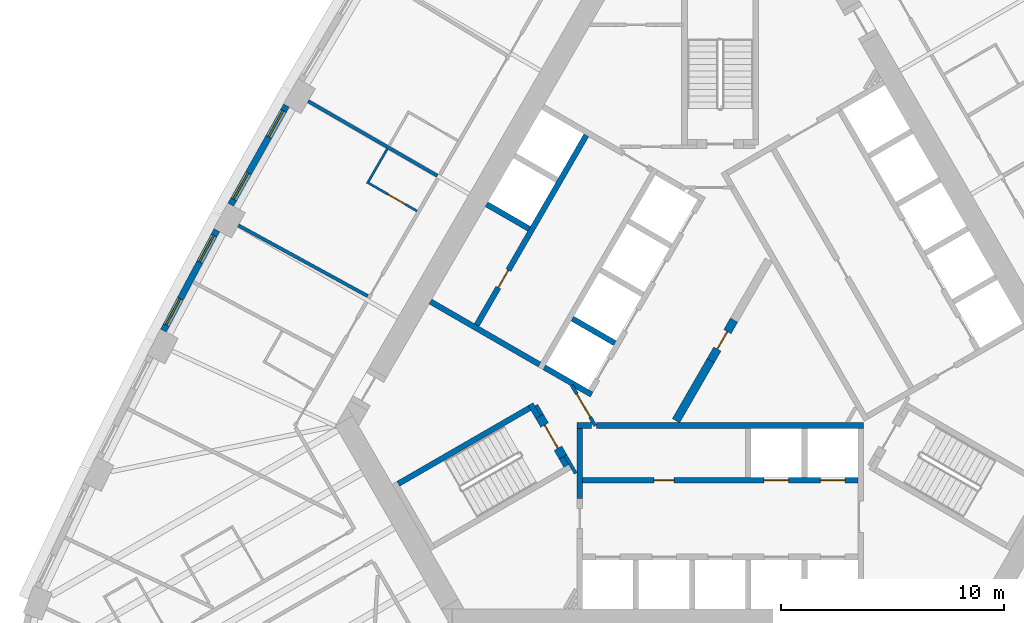
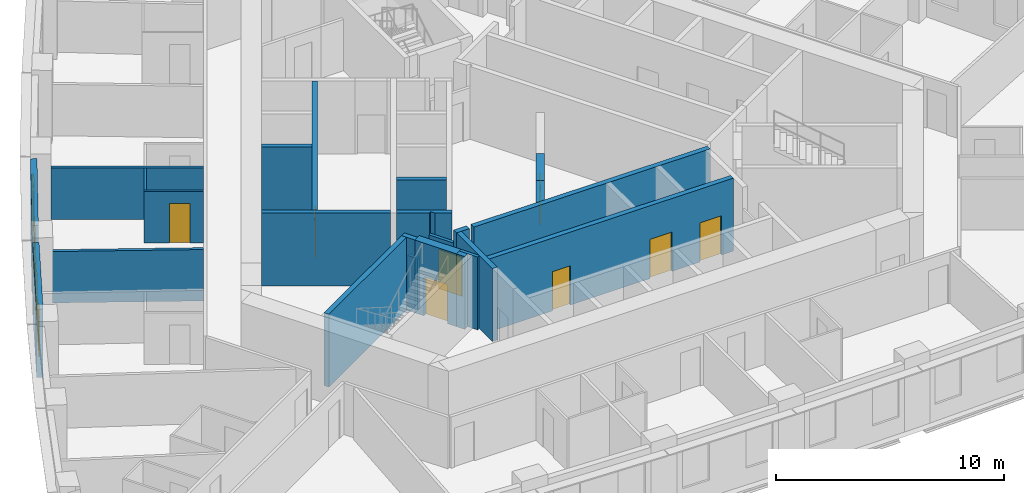
# One storey, part 5 of 12: 24 walls, 8 doors, 4 windows, 12 openings.
"""IFC4 building model written with IfcOpenShell, lengths in metres."""

from ifc_helpers import new_model, si_unit, direction, frame, frame_2d, origin, place, context, subcontext, project, spatial, polyline, rectangle, outline, extrude, material, layer, layer_set, type_object, element, fill, save


model = new_model("IFC4")

# Units and contexts
model_context = context("Model", 3, precision=1e-05, world=origin(), true_north=direction((0.0, 1.0)))
body_context = subcontext(model_context, "Body", "Model", "MODEL_VIEW")
ifc_project = project(units=[si_unit("LENGTHUNIT", "METRE"), si_unit("AREAUNIT", "SQUARE_METRE"), si_unit("VOLUMEUNIT", "CUBIC_METRE"), si_unit("PLANEANGLEUNIT", "RADIAN"), si_unit("MASSUNIT", "GRAM", prefix="KILO")], contexts=[model_context])

# Site, building, storey
site_placement = place(None, origin())
site = spatial("IfcSite", under=ifc_project, at=site_placement, CompositionType="ELEMENT")
building_placement = place(site_placement, origin())
building = spatial("IfcBuilding", under=site, at=building_placement, Name="Mestral Congress Tower", CompositionType="ELEMENT")
storey_placement = place(building_placement, frame((0.0, 0.0, 111.0)))
storey = spatial("IfcBuildingStorey", under=building, at=storey_placement, Name="L26", CompositionType="ELEMENT", Elevation=111.0)

# Walls
ifc_material_1 = material(Name="Fire-rated board partition")
ifc_layer_1 = layer(ifc_material_1, 0.14990234375)
ifc_layer_set_1 = layer_set([ifc_layer_1], Name="Fire-rated board partition")
wall_type_1 = type_object("IfcWallType", Name="Core partition 150", PredefinedType="PARTITIONING", material=ifc_layer_set_1)
wall_1_placement = place(storey_placement, frame((-8.251953125, -2.958251953125, 0.0), z_axis=(0.0, 0.0, 1.0), x_axis=(0.500174715838, -0.865924508047, 0.0)))
element("IfcWall", 1, at=wall_1_placement, inside=storey, type_object=wall_type_1, Name="L26 core wall", PredefinedType="PARTITIONING", context=body_context, shape_type="SweptSolid", body=[
    extrude(rectangle(XDim=0.513916015625, YDim=0.14990234375, at=frame_2d((0.2568359375, 0.0))), origin(), (0.0, 0.0, 1.0), 2.75),
])
placement = place(storey_placement, origin())
element("IfcWall", 2, at=placement, inside=storey, type_object=wall_type_1, Name="L26 core wall", PredefinedType="PARTITIONING", context=body_context, shape_type="SweptSolid", body=[
    extrude(outline(polyline([(-0.590087890625, -0.871826171875), (-0.26513671875, -1.059326171875), (-1.822021484375, -3.755615234375), (-2.146728515625, -3.568115234375), (-0.590087890625, -0.871826171875)])), origin(), (0.0, 0.0, 1.0), 2.75),
])

# Wall, opening, door
wall_3_placement = place(storey_placement, frame((-5.606201171875, -3.8896484375, 0.0), z_axis=(0.0, 0.0, 1.0), x_axis=(-0.500027713859, 0.866009402589, 0.0)))
wall_3 = element("IfcWall", 3, at=wall_3_placement, inside=storey, type_object=wall_type_1, Name="L26 door wall", PredefinedType="PARTITIONING", context=body_context, shape_type="SweptSolid", body=[
    extrude(rectangle(XDim=2.10009765625, YDim=0.14990234375, at=frame_2d((1.050048828125, 0.0))), origin(), (0.0, 0.0, 1.0), 2.75),
])
opening_1_placement = place(wall_3_placement, frame((0.449951171875, 0.0, 0.0)))
opening_1 = element("IfcOpeningElement", 4, at=opening_1_placement, cuts=wall_3, Name="Opening CD3-FF", PredefinedType="OPENING", context=body_context, shape_type="SweptSolid", body=[
    extrude(rectangle(XDim=1.199951171875, YDim=2.10009765625, at=frame_2d((0.60009765625, 1.050048828125))), frame((0.0, 0.0849609375, 0.0), z_axis=(0.0, -1.0, 0.0), x_axis=(1.0, 0.0, 0.0)), (0.0, 0.0, 1.0), 0.169921875),
])
ifc_material_2 = material(Name="Fire-rated steel door set", Category="steel")
door_type_1 = type_object("IfcDoorType", Name="Core door CD 1200x2100", OperationType="SINGLE_SWING_LEFT", PredefinedType="DOOR", material=ifc_material_2)
door_1_placement = place(opening_1_placement, origin())
door_1 = element("IfcDoor", 5, at=door_1_placement, inside=storey, type_object=door_type_1, Name="Door CD3-FF", OperationType="SINGLE_SWING_LEFT", OverallHeight=2.10009765625, OverallWidth=1.199951171875, PredefinedType="DOOR", context=body_context, shape_type="SweptSolid", body=[
    extrude(rectangle(XDim=1.199951171875, YDim=2.10009765625, at=frame_2d((0.60009765625, 1.050048828125))), frame((0.0, 0.02490234375, 0.0), z_axis=(0.0, -1.0, 0.0), x_axis=(1.0, 0.0, 0.0)), (0.0, 0.0, 1.0), 0.050048828125),
])
fill(opening_1, door_1)

ifc_layer_2 = layer(ifc_material_1, 0.375)
ifc_layer_set_2 = layer_set([ifc_layer_2], Name="Fire-rated board partition")
wall_type_2 = type_object("IfcWallType", Name="Core partition 150 door-wall 375", PredefinedType="PARTITIONING", material=ifc_layer_set_2)
wall_4_placement = place(storey_placement, frame((-0.427490234375, -0.965576171875, 0.0), z_axis=(0.0, 0.0, 1.0), x_axis=(0.49994051562, 0.866059744384, 0.0)))
wall_4 = element("IfcWall", 6, at=wall_4_placement, inside=storey, type_object=wall_type_2, Name="L26 door wall", PredefinedType="PARTITIONING", context=body_context, shape_type="SweptSolid", body=[
    extrude(rectangle(XDim=2.099853515625, YDim=0.375, at=frame_2d((1.0498046875, 0.0))), origin(), (0.0, 0.0, 1.0), 2.75),
])
opening_2_placement = place(wall_4_placement, frame((0.60009765625, 0.0, 0.0)))
opening_2 = element("IfcOpeningElement", 7, at=opening_2_placement, cuts=wall_4, Name="Opening CD1-HUB0", PredefinedType="OPENING", context=body_context, shape_type="SweptSolid", body=[
    extrude(rectangle(XDim=0.89990234375, YDim=2.10009765625, at=frame_2d((0.449951171875, 1.050048828125))), frame((0.0, 0.197509765625, 0.0), z_axis=(0.0, -1.0, 0.0), x_axis=(1.0, 0.0, 0.0)), (0.0, 0.0, 1.0), 0.39501953125),
])
door_type_2 = type_object("IfcDoorType", Name="Core door CD 900x2100", OperationType="SINGLE_SWING_LEFT", PredefinedType="DOOR", material=ifc_material_2)
door_2_placement = place(opening_2_placement, origin())
door_2 = element("IfcDoor", 8, at=door_2_placement, inside=storey, type_object=door_type_2, Name="Door CD1-HUB0", OperationType="SINGLE_SWING_LEFT", OverallHeight=2.10009765625, OverallWidth=0.89990234375, PredefinedType="DOOR", context=body_context, shape_type="SweptSolid", body=[
    extrude(rectangle(XDim=0.89990234375, YDim=2.10009765625, at=frame_2d((0.449951171875, 1.050048828125))), frame((0.0, 0.02490234375, 0.0), z_axis=(0.0, -1.0, 0.0), x_axis=(1.0, 0.0, 0.0)), (0.0, 0.0, 1.0), 0.050048828125),
])
fill(opening_2, door_2)

# Wall, openings, windows
ifc_material_3 = material(Name="Precast concrete C40/50 with limestone facing", Category="masonry")
ifc_layer_3 = layer(ifc_material_3, 0.2900390625)
ifc_layer_set_3 = layer_set([ifc_layer_3], Name="Precast concrete C40/50 with limestone facing")
wall_type_3 = type_object("IfcWallType", Name="Facade stone wall 290", PredefinedType="SOLIDWALL", material=ifc_layer_set_3)
wall_5_placement = place(storey_placement, frame((-19.4580078125, 10.479736328125, 0.0), z_axis=(0.0, 0.0, 1.0), x_axis=(-0.48983164787, -0.87181704316, 0.0)))
wall_5 = element("IfcWall", 9, at=wall_5_placement, inside=storey, type_object=wall_type_3, Name="Facade wall F2-04", PredefinedType="SOLIDWALL", context=body_context, shape_type="SweptSolid", body=[
    extrude(rectangle(XDim=5.100341796875, YDim=0.2900390625, at=frame_2d((2.55029296875, 0.0))), origin(), (0.0, 0.0, 1.0), 3.64990234375),
])
opening_3_placement = place(wall_5_placement, frame((0.2724609375, 0.0, 0.89990234375)))
opening_3 = element("IfcOpeningElement", 10, at=opening_3_placement, cuts=wall_5, Name="Opening W2", PredefinedType="OPENING", context=body_context, shape_type="SweptSolid", body=[
    extrude(rectangle(XDim=1.35009765625, YDim=2.14990234375, at=frame_2d((0.675048828125, 1.074951171875))), frame((0.0, 0.155029296875, 0.0), z_axis=(0.0, -1.0, 0.0), x_axis=(1.0, 0.0, 0.0)), (0.0, 0.0, 1.0), 0.31005859375),
])
opening_4_placement = place(wall_5_placement, frame((3.477783203125, 0.0, 0.89990234375)))
opening_4 = element("IfcOpeningElement", 11, at=opening_4_placement, cuts=wall_5, Name="Opening W2", PredefinedType="OPENING", context=body_context, shape_type="SweptSolid", body=[
    extrude(rectangle(XDim=1.35009765625, YDim=2.14990234375, at=frame_2d((0.675048828125, 1.074951171875))), frame((0.0, 0.155029296875, 0.0), z_axis=(0.0, -1.0, 0.0), x_axis=(1.0, 0.0, 0.0)), (0.0, 0.0, 1.0), 0.31005859375),
])
ifc_material_4 = material(Name="Clear low-emissivity double glazing", Category="glass")
window_type = type_object("IfcWindowType", Name="Facade punched window 1350 x 2150 sill 900", PartitioningType="DOUBLE_PANEL_VERTICAL", PredefinedType="WINDOW", material=ifc_material_4)
window_1_placement = place(opening_3_placement, origin())
window_1 = element("IfcWindow", 12, at=window_1_placement, inside=storey, type_object=window_type, Name="Window F2-04a", OverallHeight=2.14990234375, OverallWidth=1.35009765625, PartitioningType="DOUBLE_PANEL_VERTICAL", PredefinedType="WINDOW", context=body_context, shape_type="SweptSolid", body=[
    extrude(rectangle(XDim=1.35009765625, YDim=2.14990234375, at=frame_2d((0.675048828125, 1.074951171875))), frame((0.0, 0.01513671875, 0.0), z_axis=(0.0, -1.0, 0.0), x_axis=(1.0, 0.0, 0.0)), (0.0, 0.0, 1.0), 0.06005859375),
])
fill(opening_3, window_1)
window_2_placement = place(opening_4_placement, origin())
window_2 = element("IfcWindow", 13, at=window_2_placement, inside=storey, type_object=window_type, Name="Window F2-04b", OverallHeight=2.14990234375, OverallWidth=1.35009765625, PartitioningType="DOUBLE_PANEL_VERTICAL", PredefinedType="WINDOW", context=body_context, shape_type="SweptSolid", body=[
    extrude(rectangle(XDim=1.35009765625, YDim=2.14990234375, at=frame_2d((0.675048828125, 1.074951171875))), frame((0.0, 0.01513671875, 0.0), z_axis=(0.0, -1.0, 0.0), x_axis=(1.0, 0.0, 0.0)), (0.0, 0.0, 1.0), 0.06005859375),
])
fill(opening_4, window_2)

wall_6_placement = place(storey_placement, frame((-22.5830078125, 4.88671875, 0.0), z_axis=(0.0, 0.0, 1.0), x_axis=(-0.469323203119, -0.883026461106, 0.0)))
wall_6 = element("IfcWall", 14, at=wall_6_placement, inside=storey, type_object=wall_type_3, Name="Facade wall F2-05", PredefinedType="SOLIDWALL", context=body_context, shape_type="SweptSolid", body=[
    extrude(rectangle(XDim=5.1005859375, YDim=0.2900390625, at=frame_2d((2.55029296875, 0.0))), origin(), (0.0, 0.0, 1.0), 3.64990234375),
])
opening_5_placement = place(wall_6_placement, frame((0.272705078125, 0.0, 0.89990234375)))
opening_5 = element("IfcOpeningElement", 15, at=opening_5_placement, cuts=wall_6, Name="Opening W2", PredefinedType="OPENING", context=body_context, shape_type="SweptSolid", body=[
    extrude(rectangle(XDim=1.35009765625, YDim=2.14990234375, at=frame_2d((0.675048828125, 1.074951171875))), frame((0.0, 0.155029296875, 0.0), z_axis=(0.0, -1.0, 0.0), x_axis=(1.0, 0.0, 0.0)), (0.0, 0.0, 1.0), 0.31005859375),
])
opening_6_placement = place(wall_6_placement, frame((3.477783203125, 0.0, 0.89990234375)))
opening_6 = element("IfcOpeningElement", 16, at=opening_6_placement, cuts=wall_6, Name="Opening W2", PredefinedType="OPENING", context=body_context, shape_type="SweptSolid", body=[
    extrude(rectangle(XDim=1.35009765625, YDim=2.14990234375, at=frame_2d((0.675048828125, 1.074951171875))), frame((0.0, 0.155029296875, 0.0), z_axis=(0.0, -1.0, 0.0), x_axis=(1.0, 0.0, 0.0)), (0.0, 0.0, 1.0), 0.31005859375),
])
window_3_placement = place(opening_5_placement, origin())
window_3 = element("IfcWindow", 17, at=window_3_placement, inside=storey, type_object=window_type, Name="Window F2-05a", OverallHeight=2.14990234375, OverallWidth=1.35009765625, PartitioningType="DOUBLE_PANEL_VERTICAL", PredefinedType="WINDOW", context=body_context, shape_type="SweptSolid", body=[
    extrude(rectangle(XDim=1.35009765625, YDim=2.14990234375, at=frame_2d((0.675048828125, 1.074951171875))), frame((0.0, 0.01513671875, 0.0), z_axis=(0.0, -1.0, 0.0), x_axis=(1.0, 0.0, 0.0)), (0.0, 0.0, 1.0), 0.06005859375),
])
fill(opening_5, window_3)
window_4_placement = place(opening_6_placement, origin())
window_4 = element("IfcWindow", 18, at=window_4_placement, inside=storey, type_object=window_type, Name="Window F2-05b", OverallHeight=2.14990234375, OverallWidth=1.35009765625, PartitioningType="DOUBLE_PANEL_VERTICAL", PredefinedType="WINDOW", context=body_context, shape_type="SweptSolid", body=[
    extrude(rectangle(XDim=1.35009765625, YDim=2.14990234375, at=frame_2d((0.675048828125, 1.074951171875))), frame((0.0, 0.01513671875, 0.0), z_axis=(0.0, -1.0, 0.0), x_axis=(1.0, 0.0, 0.0)), (0.0, 0.0, 1.0), 0.06005859375),
])
fill(opening_6, window_4)

# Wall, opening, door
ifc_material_5 = material(Name="Gypsum board partition on metal studs with mineral wool", Category="composite")
ifc_layer_4 = layer(ifc_material_5, 0.10009765625)
ifc_layer_set_4 = layer_set([ifc_layer_4], Name="Gypsum board partition on metal studs with mineral wool")
wall_type_4 = type_object("IfcWallType", Name="Hotel partition wall 100", PredefinedType="PARTITIONING", material=ifc_layer_set_4)
wall_7_placement = place(storey_placement, frame((-15.851806640625, 7.0439453125, 0.0), z_axis=(0.0, 0.0, 1.0), x_axis=(0.866021400173, -0.500006934395, 0.0)))
wall_7 = element("IfcWall", 19, at=wall_7_placement, inside=storey, type_object=wall_type_4, Name="L26-h-pod21a", PredefinedType="PARTITIONING", context=body_context, shape_type="SweptSolid", body=[
    extrude(rectangle(XDim=2.60009765625, YDim=0.10009765625, at=frame_2d((1.300048828125, 0.0))), origin(), (0.0, 0.0, 1.0), 2.75),
])
opening_7_placement = place(wall_7_placement, frame((1.10009765625, 0.0, 0.0)))
opening_7 = element("IfcOpeningElement", 20, at=opening_7_placement, cuts=wall_7, Name="Opening H08-038", PredefinedType="OPENING", context=body_context, shape_type="SweptSolid", body=[
    extrude(rectangle(XDim=0.89990234375, YDim=2.10009765625, at=frame_2d((0.449951171875, 1.050048828125))), frame((0.0, 0.06005859375, 0.0), z_axis=(0.0, -1.0, 0.0), x_axis=(1.0, 0.0, 0.0)), (0.0, 0.0, 1.0), 0.1201171875),
])
ifc_material_6 = material(Name="Timber veneer door leaf in timber frame", Category="wood")
door_type_3 = type_object("IfcDoorType", Name="Bathroom door 900", OperationType="SINGLE_SWING_LEFT", PredefinedType="DOOR", material=ifc_material_6)
door_3_placement = place(opening_7_placement, origin())
door_3 = element("IfcDoor", 21, at=door_3_placement, inside=storey, type_object=door_type_3, Name="L26-h-d038", OperationType="SINGLE_SWING_RIGHT", OverallHeight=2.10009765625, OverallWidth=0.89990234375, PredefinedType="DOOR", context=body_context, shape_type="SweptSolid", body=[
    extrude(rectangle(XDim=0.89990234375, YDim=2.10009765625, at=frame_2d((0.449951171875, 1.050048828125))), frame((0.0, 0.02490234375, 0.0), z_axis=(0.0, -1.0, 0.0), x_axis=(1.0, 0.0, 0.0)), (0.0, 0.0, 1.0), 0.050048828125),
])
fill(opening_7, door_3)

# Walls
wall_8_placement = place(storey_placement, frame((-15.783447265625, 7.062255859375, 0.0), z_axis=(0.0, 0.0, 1.0), x_axis=(0.499954529098, 0.86605165483, 0.0)))
element("IfcWall", 22, at=wall_8_placement, inside=storey, type_object=wall_type_4, Name="L26-h-pod21b", PredefinedType="PARTITIONING", context=body_context, shape_type="SweptSolid", body=[
    extrude(rectangle(XDim=1.699951171875, YDim=0.10009765625, at=frame_2d((0.85009765625, 0.0))), origin(), (0.0, 0.0, 1.0), 2.75),
])
ifc_layer_5 = layer(ifc_material_5, 0.14990234375)
ifc_layer_set_5 = layer_set([ifc_layer_5], Name="Gypsum board partition on metal studs with mineral wool")
wall_type_5 = type_object("IfcWallType", Name="Hotel partition wall 150", PredefinedType="PARTITIONING", material=ifc_layer_set_5)
wall_9_placement = place(storey_placement, frame((-21.614013671875, 5.1015625, 0.0), z_axis=(0.0, 0.0, 1.0), x_axis=(0.877484555087, -0.479604895287, 0.0)))
element("IfcWall", 23, at=wall_9_placement, inside=storey, type_object=wall_type_5, Name="L26-h-pw05", PredefinedType="PARTITIONING", context=body_context, shape_type="SweptSolid", body=[
    extrude(rectangle(XDim=6.611083984375, YDim=0.14990234375, at=frame_2d((3.3056640625, 0.0))), origin(), (0.0, 0.0, 1.0), 2.75),
])
wall_10_placement = place(storey_placement, frame((-18.484130859375, 10.671875, 0.0), z_axis=(0.0, 0.0, 1.0), x_axis=(0.866019162053, -0.50001081084, 0.0)))
element("IfcWall", 24, at=wall_10_placement, inside=storey, type_object=wall_type_5, Name="L26-h-pw07", PredefinedType="PARTITIONING", context=body_context, shape_type="SweptSolid", body=[
    extrude(rectangle(XDim=6.693603515625, YDim=0.14990234375, at=frame_2d((3.3466796875, 0.0))), origin(), (0.0, 0.0, 1.0), 2.75),
])
ifc_material_7 = material(Name="Concrete C60/75", Category="concrete")
ifc_layer_6 = layer(ifc_material_7, 0.25)
ifc_layer_set_6 = layer_set([ifc_layer_6], Name="Concrete C60/75")
wall_type_6 = type_object("IfcWallType", Name="Shaft wall RC 250", PredefinedType="SOLIDWALL", material=ifc_layer_set_6)
wall_11_placement = place(storey_placement, frame((-5.544921875, -3.875, 0.0), z_axis=(0.0, 0.0, 1.0), x_axis=(1.0, 0.0, 0.0)))
element("IfcWall", 25, at=wall_11_placement, inside=storey, type_object=wall_type_6, Name="L26 core wall", PredefinedType="SOLIDWALL", context=body_context, shape_type="SweptSolid", body=[
    extrude(rectangle(XDim=11.969970703125, YDim=0.25, at=frame_2d((5.98486328125, 0.0))), origin(), (0.0, 0.0, 1.0), 3.89990234375),
])
wall_12_placement = place(storey_placement, frame((-6.425048828125, -3.875, 0.0), z_axis=(0.0, 0.0, 1.0), x_axis=(1.0, 0.0, 0.0)))
element("IfcWall", 26, at=wall_12_placement, inside=storey, type_object=wall_type_6, Name="L26 core wall", PredefinedType="SOLIDWALL", context=body_context, shape_type="SweptSolid", body=[
    extrude(rectangle(XDim=0.657958984375, YDim=0.25, at=frame_2d((0.3291015625, 0.0))), origin(), (0.0, 0.0, 1.0), 3.89990234375),
])
wall_13_placement = place(storey_placement, frame((-6.300048828125, -4.0, 0.0), z_axis=(0.0, 0.0, 1.0), x_axis=(0.0, -1.0, 0.0)))
element("IfcWall", 27, at=wall_13_placement, inside=storey, type_object=wall_type_6, Name="L26 core wall", PredefinedType="SOLIDWALL", context=body_context, shape_type="SweptSolid", body=[
    extrude(rectangle(XDim=3.154296875, YDim=0.25, at=frame_2d((1.5771484375, 0.0))), origin(), (0.0, 0.0, 1.0), 3.89990234375),
])
wall_14_placement = place(storey_placement, frame((-4.72412109375, -0.182373046875, 0.0), z_axis=(0.0, 0.0, 1.0), x_axis=(-0.866008176907, 0.50002983664, 0.0)))
element("IfcWall", 28, at=wall_14_placement, inside=storey, type_object=wall_type_6, Name="L26 core wall", PredefinedType="SOLIDWALL", context=body_context, shape_type="SweptSolid", body=[
    extrude(rectangle(XDim=2.199951171875, YDim=0.25, at=frame_2d((1.10009765625, 0.0))), origin(), (0.0, 0.0, 1.0), 3.89990234375),
])
element("IfcWall", 29, at=placement, inside=storey, type_object=wall_type_6, Name="L26 core wall", PredefinedType="SOLIDWALL", context=body_context, shape_type="SweptSolid", body=[
    extrude(outline(polyline([(-5.921630859375, -2.256591796875), (-5.921630859375, -2.256591796875), (-5.705078125, -2.381591796875), (-5.830078125, -2.597900390625), (-6.48291015625, -2.22119140625), (-6.59130859375, -2.033447265625), (-6.59130859375, -2.033447265625), (-6.69970703125, -2.095947265625), (-7.951904296875, -1.373046875), (-7.826904296875, -1.156494140625), (-5.921630859375, -2.256591796875)])), origin(), (0.0, 0.0, 1.0), 3.89990234375),
])
wall_16_placement = place(storey_placement, frame((-8.10595703125, -1.139892578125, 0.0), z_axis=(0.0, 0.0, 1.0), x_axis=(-0.866000643155, 0.500042884217, 0.0)))
element("IfcWall", 30, at=wall_16_placement, inside=storey, type_object=wall_type_6, Name="L26 core wall", PredefinedType="SOLIDWALL", context=body_context, shape_type="SweptSolid", body=[
    extrude(rectangle(XDim=5.64990234375, YDim=0.25, at=frame_2d((2.824951171875, 0.0))), origin(), (0.0, 0.0, 1.0), 3.89990234375),
])
wall_17_placement = place(storey_placement, frame((-8.57373046875, 4.949951171875, 0.0), z_axis=(0.0, 0.0, 1.0), x_axis=(-0.866008176907, 0.50002983664, 0.0)))
element("IfcWall", 31, at=wall_17_placement, inside=storey, type_object=wall_type_6, Name="L26 core wall", PredefinedType="SOLIDWALL", context=body_context, shape_type="SweptSolid", body=[
    extrude(rectangle(XDim=2.199951171875, YDim=0.25, at=frame_2d((1.10009765625, 0.0))), origin(), (0.0, 0.0, 1.0), 3.89990234375),
])

# Wall, openings, doors
wall_18_placement = place(storey_placement, frame((-6.175048828125, -6.324951171875, 0.0), z_axis=(0.0, 0.0, 1.0), x_axis=(1.0, 0.0, 0.0)))
wall_18 = element("IfcWall", 32, at=wall_18_placement, inside=storey, type_object=wall_type_6, Name="L26 door wall", PredefinedType="SOLIDWALL", context=body_context, shape_type="SweptSolid", body=[
    extrude(rectangle(XDim=12.35009765625, YDim=0.25, at=frame_2d((6.175048828125, 0.0))), origin(), (0.0, 0.0, 1.0), 3.89990234375),
])
opening_8_placement = place(wall_18_placement, frame((3.205078125, 0.0, 0.0)))
opening_8 = element("IfcOpeningElement", 33, at=opening_8_placement, cuts=wall_18, Name="Opening SR-SOB1", PredefinedType="OPENING", context=body_context, shape_type="SweptSolid", body=[
    extrude(rectangle(XDim=0.89990234375, YDim=2.10009765625, at=frame_2d((0.449951171875, 1.050048828125))), frame((0.0, 0.135009765625, 0.0), z_axis=(0.0, -1.0, 0.0), x_axis=(1.0, 0.0, 0.0)), (0.0, 0.0, 1.0), 0.27001953125),
])
opening_9_placement = place(wall_18_placement, frame((8.14501953125, 0.0, 0.0)))
opening_9 = element("IfcOpeningElement", 34, at=opening_9_placement, cuts=wall_18, Name="Opening LD-SOB4", PredefinedType="OPENING", context=body_context, shape_type="SweptSolid", body=[
    extrude(rectangle(XDim=1.10009765625, YDim=2.10009765625, at=frame_2d((0.550048828125, 1.050048828125))), frame((0.0, 0.135009765625, 0.0), z_axis=(0.0, -1.0, 0.0), x_axis=(1.0, 0.0, 0.0)), (0.0, 0.0, 1.0), 0.27001953125),
])
opening_10_placement = place(wall_18_placement, frame((10.6650390625, 0.0, 0.0)))
opening_10 = element("IfcOpeningElement", 35, at=opening_10_placement, cuts=wall_18, Name="Opening LD-SOB5", PredefinedType="OPENING", context=body_context, shape_type="SweptSolid", body=[
    extrude(rectangle(XDim=1.10009765625, YDim=2.10009765625, at=frame_2d((0.550048828125, 1.050048828125))), frame((0.0, 0.135009765625, 0.0), z_axis=(0.0, -1.0, 0.0), x_axis=(1.0, 0.0, 0.0)), (0.0, 0.0, 1.0), 0.27001953125),
])
door_type_4 = type_object("IfcDoorType", Name="Core door LD 1100x2100", OperationType="DOUBLE_DOOR_SLIDING", PredefinedType="DOOR", material=ifc_material_2)
door_4_placement = place(opening_9_placement, origin())
door_4 = element("IfcDoor", 36, at=door_4_placement, inside=storey, type_object=door_type_4, Name="Door LD-SOB4", OperationType="DOUBLE_DOOR_SLIDING", OverallHeight=2.10009765625, OverallWidth=1.10009765625, PredefinedType="DOOR", context=body_context, shape_type="SweptSolid", body=[
    extrude(rectangle(XDim=1.10009765625, YDim=2.10009765625, at=frame_2d((0.550048828125, 1.050048828125))), frame((0.0, 0.02490234375, 0.0), z_axis=(0.0, -1.0, 0.0), x_axis=(1.0, 0.0, 0.0)), (0.0, 0.0, 1.0), 0.050048828125),
])
fill(opening_9, door_4)
door_5_placement = place(opening_10_placement, origin())
door_5 = element("IfcDoor", 37, at=door_5_placement, inside=storey, type_object=door_type_4, Name="Door LD-SOB5", OperationType="DOUBLE_DOOR_SLIDING", OverallHeight=2.10009765625, OverallWidth=1.10009765625, PredefinedType="DOOR", context=body_context, shape_type="SweptSolid", body=[
    extrude(rectangle(XDim=1.10009765625, YDim=2.10009765625, at=frame_2d((0.550048828125, 1.050048828125))), frame((0.0, 0.02490234375, 0.0), z_axis=(0.0, -1.0, 0.0), x_axis=(1.0, 0.0, 0.0)), (0.0, 0.0, 1.0), 0.050048828125),
])
fill(opening_10, door_5)
door_type_5 = type_object("IfcDoorType", Name="Core door SR 900x2100", OperationType="SINGLE_SWING_LEFT", PredefinedType="DOOR", material=ifc_material_2)
door_6_placement = place(opening_8_placement, origin())
door_6 = element("IfcDoor", 38, at=door_6_placement, inside=storey, type_object=door_type_5, Name="Door SR-SOB1", OperationType="SINGLE_SWING_LEFT", OverallHeight=2.10009765625, OverallWidth=0.89990234375, PredefinedType="DOOR", context=body_context, shape_type="SweptSolid", body=[
    extrude(rectangle(XDim=0.89990234375, YDim=2.10009765625, at=frame_2d((0.449951171875, 1.050048828125))), frame((0.0, 0.02490234375, 0.0), z_axis=(0.0, -1.0, 0.0), x_axis=(1.0, 0.0, 0.0)), (0.0, 0.0, 1.0), 0.050048828125),
])
fill(opening_8, door_6)

# Wall, opening, door
wall_19_placement = place(storey_placement, frame((-6.0078125, 9.14404296875, 0.0), z_axis=(0.0, 0.0, 1.0), x_axis=(-0.500006956611, -0.866021387346, 0.0)))
wall_19 = element("IfcWall", 39, at=wall_19_placement, inside=storey, type_object=wall_type_6, Name="L26 door wall", PredefinedType="SOLIDWALL", context=body_context, shape_type="SweptSolid", body=[
    extrude(rectangle(XDim=9.829833984375, YDim=0.25, at=frame_2d((4.9150390625, 0.0))), origin(), (0.0, 0.0, 1.0), 3.89990234375),
])
opening_11_placement = place(wall_19_placement, frame((6.985107421875, 0.0, 0.0)))
opening_11 = element("IfcOpeningElement", 40, at=opening_11_placement, cuts=wall_19, Name="Opening SR-NWA2", PredefinedType="OPENING", context=body_context, shape_type="SweptSolid", body=[
    extrude(rectangle(XDim=0.89990234375, YDim=2.10009765625, at=frame_2d((0.449951171875, 1.050048828125))), frame((0.0, 0.135009765625, 0.0), z_axis=(0.0, -1.0, 0.0), x_axis=(1.0, 0.0, 0.0)), (0.0, 0.0, 1.0), 0.27001953125),
])
door_7_placement = place(opening_11_placement, origin())
door_7 = element("IfcDoor", 41, at=door_7_placement, inside=storey, type_object=door_type_5, Name="Door SR-NWA2", OperationType="SINGLE_SWING_LEFT", OverallHeight=2.10009765625, OverallWidth=0.89990234375, PredefinedType="DOOR", context=body_context, shape_type="SweptSolid", body=[
    extrude(rectangle(XDim=0.89990234375, YDim=2.10009765625, at=frame_2d((0.449951171875, 1.050048828125))), frame((0.0, 0.02490234375, 0.0), z_axis=(0.0, -1.0, 0.0), x_axis=(1.0, 0.0, 0.0)), (0.0, 0.0, 1.0), 0.050048828125),
])
fill(opening_11, door_7)

# Walls
ifc_layer_7 = layer(ifc_material_7, 0.14990234375)
ifc_layer_set_7 = layer_set([ifc_layer_7], Name="Concrete C60/75")
wall_type_7 = type_object("IfcWallType", Name="Shaft wall RC 250 door-wall 150", PredefinedType="SOLIDWALL", material=ifc_layer_set_7)
wall_20_placement = place(storey_placement, frame((-6.48046875, -6.026611328125, 0.0), z_axis=(0.0, 0.0, 1.0), x_axis=(-0.499927229454, 0.866067413802, 0.0)))
element("IfcWall", 42, at=wall_20_placement, inside=storey, type_object=wall_type_7, Name="L26 core wall", PredefinedType="PARTITIONING", context=body_context, shape_type="SweptSolid", body=[
    extrude(rectangle(XDim=0.928955078125, YDim=0.14990234375, at=frame_2d((0.46435546875, 0.0))), origin(), (0.0, 0.0, 1.0), 3.89990234375),
])
ifc_layer_8 = layer(ifc_material_7, 0.25)
ifc_layer_set_8 = layer_set([ifc_layer_8], Name="Concrete C60/75")
wall_type_8 = type_object("IfcWallType", Name="Stair wall RC 250", PredefinedType="SOLIDWALL", material=ifc_layer_set_8)
wall_21_placement = place(storey_placement, frame((-14.43994140625, -6.489501953125, 0.0), z_axis=(0.0, 0.0, 1.0), x_axis=(0.866022966069, 0.500004222222, 0.0)))
element("IfcWall", 43, at=wall_21_placement, inside=storey, type_object=wall_type_8, Name="L26 core wall", PredefinedType="SOLIDWALL", context=body_context, shape_type="SweptSolid", body=[
    extrude(rectangle(XDim=6.80029296875, YDim=0.25, at=frame_2d((3.400146484375, 0.0))), origin(), (0.0, 0.0, 1.0), 3.89990234375),
])
wall_22_placement = place(storey_placement, frame((-8.167724609375, -3.503173828125, 0.0), z_axis=(0.0, 0.0, 1.0), x_axis=(-0.499952099219, 0.866053057547, 0.0)))
element("IfcWall", 44, at=wall_22_placement, inside=storey, type_object=wall_type_8, Name="L26 core wall", PredefinedType="SOLIDWALL", context=body_context, shape_type="SweptSolid", body=[
    extrude(rectangle(XDim=0.6748046875, YDim=0.25, at=frame_2d((0.33740234375, 0.0))), origin(), (0.0, 0.0, 1.0), 3.89990234375),
])
wall_23_placement = place(storey_placement, frame((-6.905029296875, -5.68994140625, 0.0), z_axis=(0.0, 0.0, 1.0), x_axis=(-0.500402024738, 0.865793170242, 0.0)))
element("IfcWall", 45, at=wall_23_placement, inside=storey, type_object=wall_type_8, Name="L26 core wall", PredefinedType="SOLIDWALL", context=body_context, shape_type="SweptSolid", body=[
    extrude(rectangle(XDim=0.425048828125, YDim=0.25, at=frame_2d((0.21240234375, 0.0))), origin(), (0.0, 0.0, 1.0), 3.89990234375),
])

# Wall, opening, door
ifc_layer_9 = layer(ifc_material_7, 0.39990234375)
ifc_layer_set_9 = layer_set([ifc_layer_9], Name="Concrete C60/75")
wall_type_9 = type_object("IfcWallType", Name="Stair wall RC 250 door-wall 400", PredefinedType="SOLIDWALL", material=ifc_layer_set_9)
wall_24_placement = place(storey_placement, frame((-8.102783203125, -3.4658203125, 0.0), z_axis=(0.0, 0.0, 1.0), x_axis=(0.500078061341, -0.865980330357, 0.0)))
wall_24 = element("IfcWall", 46, at=wall_24_placement, inside=storey, type_object=wall_type_9, Name="L26 door wall", PredefinedType="SOLIDWALL", context=body_context, shape_type="SweptSolid", body=[
    extrude(rectangle(XDim=2.099853515625, YDim=0.39990234375, at=frame_2d((1.0498046875, 0.0))), origin(), (0.0, 0.0, 1.0), 3.89990234375),
])
opening_12_placement = place(wall_24_placement, frame((0.449951171875, 0.0, 0.0)))
opening_12 = element("IfcOpeningElement", 47, at=opening_12_placement, cuts=wall_24, Name="Opening ST-D3", PredefinedType="OPENING", context=body_context, shape_type="SweptSolid", body=[
    extrude(rectangle(XDim=1.199951171875, YDim=2.10009765625, at=frame_2d((0.60009765625, 1.050048828125))), frame((0.0, 0.2099609375, 0.0), z_axis=(0.0, -1.0, 0.0), x_axis=(1.0, 0.0, 0.0)), (0.0, 0.0, 1.0), 0.419921875),
])
door_type_6 = type_object("IfcDoorType", Name="Core door ST 1200x2100", OperationType="SINGLE_SWING_LEFT", PredefinedType="DOOR", material=ifc_material_2)
door_8_placement = place(opening_12_placement, origin())
door_8 = element("IfcDoor", 48, at=door_8_placement, inside=storey, type_object=door_type_6, Name="Door ST-D3", OperationType="SINGLE_SWING_LEFT", OverallHeight=2.10009765625, OverallWidth=1.199951171875, PredefinedType="DOOR", context=body_context, shape_type="SweptSolid", body=[
    extrude(rectangle(XDim=1.199951171875, YDim=2.10009765625, at=frame_2d((0.60009765625, 1.050048828125))), frame((0.0, 0.02490234375, 0.0), z_axis=(0.0, -1.0, 0.0), x_axis=(1.0, 0.0, 0.0)), (0.0, 0.0, 1.0), 0.050048828125),
])
fill(opening_12, door_8)

save(model, "model.ifc")
